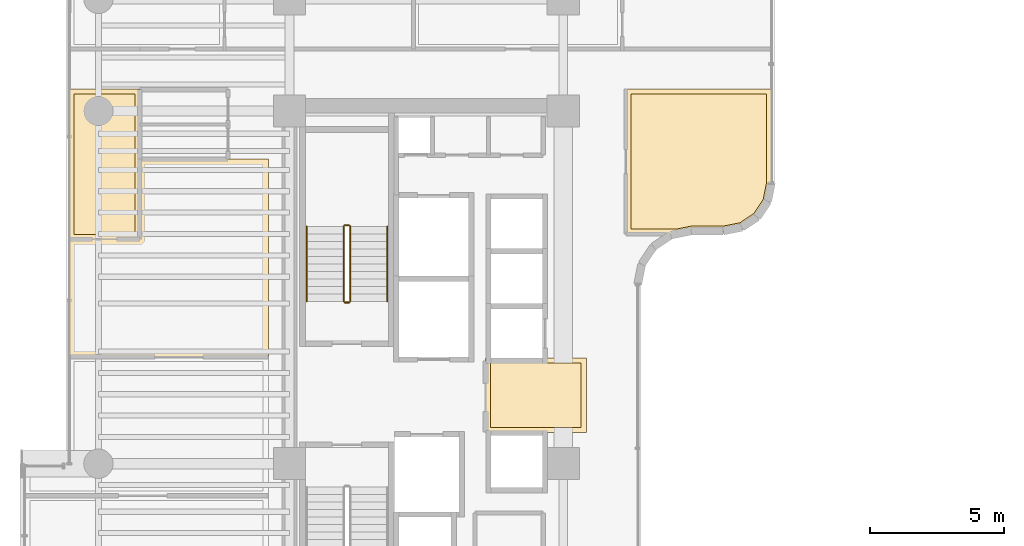
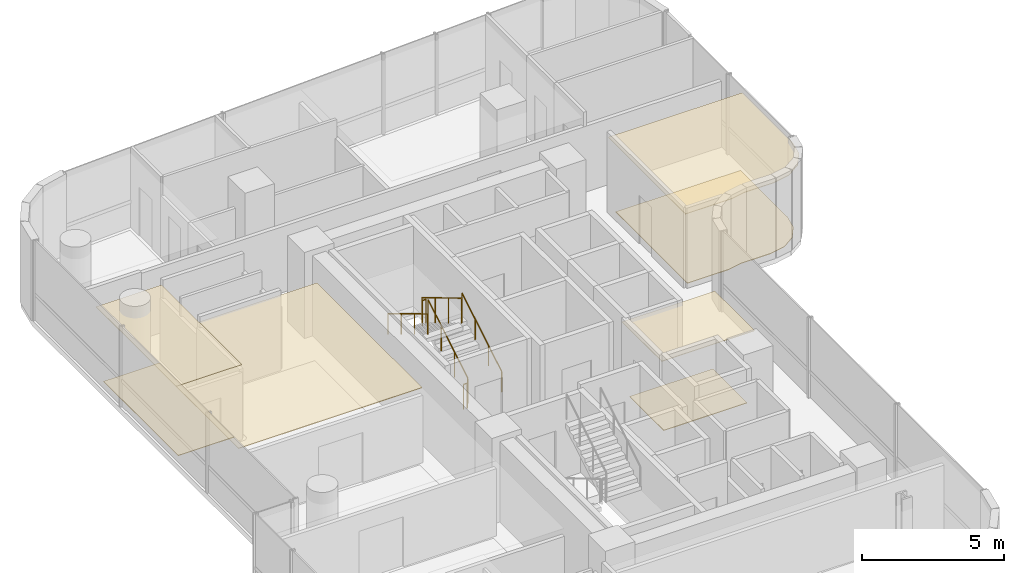
# One storey, part 32 of 34: 7 coverings, 6 railings.
"""IFC4 building model written with IfcOpenShell, lengths in metres."""

from ifc_helpers import new_model, si_unit, direction, frame, origin, origin_2d, place, context, subcontext, project, spatial, polyline, circle, outline, extrude, material, layer, layer_set, type_object, element, save


model = new_model("IFC4")

# Units and contexts
model_context = context("Model", 3, precision=1e-05, world=origin(), true_north=direction((0.0, 1.0)))
body_context = subcontext(model_context, "Body", "Model", "MODEL_VIEW")
ifc_project = project(units=[si_unit("LENGTHUNIT", "METRE"), si_unit("AREAUNIT", "SQUARE_METRE"), si_unit("VOLUMEUNIT", "CUBIC_METRE"), si_unit("PLANEANGLEUNIT", "RADIAN"), si_unit("MASSUNIT", "GRAM", prefix="KILO")], contexts=[model_context])

# Site, building, storey
site_placement = place(None, origin())
site = spatial("IfcSite", under=ifc_project, at=site_placement, CompositionType="ELEMENT")
building_placement = place(site_placement, origin())
building = spatial("IfcBuilding", under=site, at=building_placement, Name="Valdorenza Pilgrim Sanctuary Tower", CompositionType="ELEMENT")
storey_placement = place(building_placement, frame((0.0, 0.0, 161.199951171875)))
storey = spatial("IfcBuildingStorey", under=building, at=storey_placement, Name="L41", CompositionType="ELEMENT", Elevation=161.199951171875)

# Coverings
ifc_material_1 = material(Name="Micro-perforated acoustic mineral ceiling tile", Category="gypsum")
ifc_layer_1 = layer(ifc_material_1, 0.02490234375, Name="Micro-perforated acoustic mineral ceiling tile")
ifc_layer_set_1 = layer_set([ifc_layer_1], Name="Micro-perforated acoustic mineral ceiling tile")
covering_type_1 = type_object("IfcCoveringType", Name="COV-CLG-ACU", PredefinedType="CEILING", material=ifc_layer_set_1)
covering_1_placement = place(storey_placement, frame((0.0, 0.0, 3.16015625)))
element("IfcCovering", 1, at=covering_1_placement, inside=storey, type_object=covering_type_1, Name="L41 Core A Passenger Lift Lobby Acoustic Ceiling", PredefinedType="CEILING", context=body_context, shape_type="SweptSolid", body=[
    extrude(outline(polyline([(-15.31298828125, 1.244384765625), (-15.31298828125, 1.24462890625), (-15.313720703125, 1.24609375), (-15.314208984375, 1.24755859375), (-15.314697265625, 1.2490234375), (-15.31494140625, 1.25048828125), (-15.31494140625, 1.251953125), (-15.31494140625, 1.35009765625), (-15.31494140625, 1.3515625), (-15.314697265625, 1.352783203125), (-15.314453125, 1.3544921875), (-15.31396484375, 1.355712890625), (-15.313232421875, 1.357177734375), (-15.3125, 1.3583984375), (-15.3115234375, 1.359619140625), (-15.310546875, 1.360595703125), (-15.3095703125, 1.361572265625), (-15.308349609375, 1.362548828125), (-15.30712890625, 1.36328125), (-15.3056640625, 1.364013671875), (-15.304443359375, 1.364501953125), (-15.302978515625, 1.36474609375), (-15.301513671875, 1.364990234375), (-15.300048828125, 1.364990234375), (-15.10205078125, 1.364990234375), (-15.1005859375, 1.364990234375), (-15.09912109375, 1.36474609375), (-15.097412109375, 1.3642578125), (-15.09619140625, 1.36376953125), (-15.0947265625, 1.363037109375), (-15.094482421875, 1.363037109375), (-13.185546875, 1.363037109375), (-13.185302734375, 1.363037109375), (-13.183837890625, 1.36376953125), (-13.1826171875, 1.3642578125), (-13.180908203125, 1.36474609375), (-13.179443359375, 1.364990234375), (-13.177978515625, 1.364990234375), (-11.550048828125, 1.364990234375), (-11.548583984375, 1.364990234375), (-11.547119140625, 1.36474609375), (-11.545654296875, 1.364501953125), (-11.544189453125, 1.364013671875), (-11.54296875, 1.36328125), (-11.541748046875, 1.362548828125), (-11.54052734375, 1.361572265625), (-11.539306640625, 1.360595703125), (-11.538330078125, 1.359619140625), (-11.53759765625, 1.3583984375), (-11.536865234375, 1.357177734375), (-11.5361328125, 1.355712890625), (-11.53564453125, 1.3544921875), (-11.535400390625, 1.352783203125), (-11.53515625, 1.3515625), (-11.534912109375, 1.35009765625), (-11.534912109375, -1.419921875), (-11.53515625, -1.42138671875), (-11.535400390625, -1.4228515625), (-11.53564453125, -1.42431640625), (-11.5361328125, -1.42578125), (-11.536865234375, -1.427001953125), (-11.53759765625, -1.42822265625), (-11.538330078125, -1.429443359375), (-11.539306640625, -1.4306640625), (-11.54052734375, -1.431640625), (-11.541748046875, -1.4326171875), (-11.54296875, -1.43310546875), (-11.544189453125, -1.433837890625), (-11.545654296875, -1.434326171875), (-11.547119140625, -1.434814453125), (-11.548583984375, -1.434814453125), (-11.550048828125, -1.43505859375), (-15.298095703125, -1.43505859375), (-15.299560546875, -1.434814453125), (-15.30078125, -1.434814453125), (-15.302490234375, -1.434326171875), (-15.3037109375, -1.433837890625), (-15.30517578125, -1.43310546875), (-15.306396484375, -1.4326171875), (-15.3076171875, -1.431640625), (-15.30859375, -1.4306640625), (-15.3095703125, -1.429443359375), (-15.310546875, -1.42822265625), (-15.311279296875, -1.427001953125), (-15.31201171875, -1.42578125), (-15.3125, -1.42431640625), (-15.312744140625, -1.4228515625), (-15.31298828125, -1.42138671875), (-15.31298828125, -1.419921875), (-15.31298828125, 1.244384765625)])), origin(), (0.0, 0.0, 1.0), 0.02490234375),
])
covering_2_placement = place(storey_placement, frame((0.0, 0.0, 3.16015625)))
element("IfcCovering", 2, at=covering_2_placement, inside=storey, type_object=covering_type_1, Name="L41 Pilgrim Scholar Office L41-1 Acoustic Ceiling", PredefinedType="CEILING", context=body_context, shape_type="SweptSolid", body=[
    extrude(outline(polyline([(-28.237060546875, 8.805419921875), (-28.23681640625, 8.805419921875), (-28.236083984375, 8.803955078125), (-28.235595703125, 8.802490234375), (-28.2353515625, 8.801025390625), (-28.235107421875, 8.799560546875), (-28.235107421875, 8.798095703125), (-28.235107421875, 5.800048828125), (-28.235107421875, 5.798583984375), (-28.2353515625, 5.797119140625), (-28.235595703125, 5.795654296875), (-28.236083984375, 5.794189453125), (-28.23681640625, 5.79296875), (-28.237548828125, 5.791748046875), (-28.23828125, 5.79052734375), (-28.239501953125, 5.789306640625), (-28.240478515625, 5.788330078125), (-28.24169921875, 5.78759765625), (-28.242919921875, 5.786865234375), (-28.244384765625, 5.7861328125), (-28.24560546875, 5.78564453125), (-28.2470703125, 5.785400390625), (-28.24853515625, 5.78515625), (-28.25, 5.784912109375), (-30.889892578125, 5.784912109375), (-30.8916015625, 5.78515625), (-30.892822265625, 5.785400390625), (-30.894287109375, 5.78564453125), (-30.895751953125, 5.7861328125), (-30.897216796875, 5.786865234375), (-30.898193359375, 5.78759765625), (-30.8994140625, 5.788330078125), (-30.900634765625, 5.789306640625), (-30.901611328125, 5.79052734375), (-30.902587890625, 5.791748046875), (-30.9033203125, 5.79296875), (-30.90380859375, 5.794189453125), (-30.904296875, 5.795654296875), (-30.90478515625, 5.797119140625), (-30.90478515625, 5.798583984375), (-30.905029296875, 5.800048828125), (-30.905029296875, 11.419921875), (-30.90478515625, 11.42138671875), (-30.90478515625, 11.4228515625), (-30.904296875, 11.42431640625), (-30.90380859375, 11.42578125), (-30.9033203125, 11.427001953125), (-30.902587890625, 11.42822265625), (-30.901611328125, 11.429443359375), (-30.900634765625, 11.4306640625), (-30.8994140625, 11.431640625), (-30.898193359375, 11.4326171875), (-30.897216796875, 11.43310546875), (-30.895751953125, 11.433837890625), (-30.894287109375, 11.434326171875), (-30.892822265625, 11.434814453125), (-30.8916015625, 11.434814453125), (-30.889892578125, 11.43505859375), (-28.25, 11.43505859375), (-28.24853515625, 11.434814453125), (-28.2470703125, 11.434814453125), (-28.24560546875, 11.434326171875), (-28.244384765625, 11.433837890625), (-28.242919921875, 11.43310546875), (-28.24169921875, 11.4326171875), (-28.240478515625, 11.431640625), (-28.239501953125, 11.4306640625), (-28.23828125, 11.429443359375), (-28.237548828125, 11.42822265625), (-28.23681640625, 11.427001953125), (-28.236083984375, 11.42578125), (-28.235595703125, 11.42431640625), (-28.2353515625, 11.4228515625), (-28.235107421875, 11.42138671875), (-28.235107421875, 11.419921875), (-28.235107421875, 11.402099609375), (-28.235107421875, 11.400390625), (-28.2353515625, 11.39892578125), (-28.235595703125, 11.3974609375), (-28.236083984375, 11.39599609375), (-28.23681640625, 11.394775390625), (-28.237060546875, 11.39453125), (-28.237060546875, 10.103759765625), (-28.23681640625, 10.10302734375), (-28.23681640625, 10.1015625), (-28.23681640625, 10.10009765625), (-28.23681640625, 10.098388671875), (-28.237060546875, 10.09814453125), (-28.237060546875, 8.805419921875)])), origin(), (0.0, 0.0, 1.0), 0.02490234375),
])
covering_3_placement = place(storey_placement, frame((0.0, 0.0, 3.16015625)))
element("IfcCovering", 3, at=covering_3_placement, inside=storey, type_object=covering_type_1, Name="L41 North Contemplation Salon L41 Acoustic Ceiling", PredefinedType="CEILING", context=body_context, shape_type="SweptSolid", body=[
    extrude(outline(polyline([(-28.262939453125, 5.81298828125), (-28.262939453125, 8.798095703125), (-28.262939453125, 8.799560546875), (-28.2626953125, 8.80078125), (-28.262451171875, 8.802490234375), (-28.261962890625, 8.8037109375), (-28.26123046875, 8.80517578125), (-28.260498046875, 8.806396484375), (-28.259521484375, 8.8076171875), (-28.258544921875, 8.80859375), (-28.257568359375, 8.8095703125), (-28.25634765625, 8.810546875), (-28.255126953125, 8.811279296875), (-28.253662109375, 8.81201171875), (-28.25244140625, 8.8125), (-28.2509765625, 8.812744140625), (-28.24951171875, 8.81298828125), (-28.248046875, 8.81298828125), (-24.955322265625, 8.81298828125), (-24.954833984375, 8.813232421875), (-24.95361328125, 8.81396484375), (-24.9521484375, 8.814453125), (-24.95068359375, 8.814697265625), (-24.949462890625, 8.81494140625), (-24.947998046875, 8.81494140625), (-23.449951171875, 8.81494140625), (-23.448486328125, 8.81494140625), (-23.447021484375, 8.814697265625), (-23.445556640625, 8.814453125), (-23.4443359375, 8.81396484375), (-23.44287109375, 8.813232421875), (-23.441650390625, 8.8125), (-23.4404296875, 8.8115234375), (-23.439453125, 8.810546875), (-23.4384765625, 8.8095703125), (-23.4375, 8.808349609375), (-23.436767578125, 8.80712890625), (-23.43603515625, 8.8056640625), (-23.435546875, 8.804443359375), (-23.435302734375, 8.802978515625), (-23.43505859375, 8.801513671875), (-23.43505859375, 8.800048828125), (-23.43505859375, 1.402099609375), (-23.43505859375, 1.400390625), (-23.435302734375, 1.399169921875), (-23.435546875, 1.397705078125), (-23.43603515625, 1.396240234375), (-23.436767578125, 1.39501953125), (-23.4375, 1.393798828125), (-23.4384765625, 1.392578125), (-23.439453125, 1.391357421875), (-23.4404296875, 1.390380859375), (-23.441650390625, 1.389404296875), (-23.44287109375, 1.388916015625), (-23.4443359375, 1.38818359375), (-23.445556640625, 1.3876953125), (-23.447021484375, 1.38720703125), (-23.448486328125, 1.38720703125), (-23.449951171875, 1.386962890625), (-30.889892578125, 1.386962890625), (-30.8916015625, 1.38720703125), (-30.892822265625, 1.38720703125), (-30.894287109375, 1.3876953125), (-30.895751953125, 1.38818359375), (-30.897216796875, 1.388916015625), (-30.898193359375, 1.389404296875), (-30.8994140625, 1.390380859375), (-30.900634765625, 1.391357421875), (-30.901611328125, 1.392578125), (-30.902587890625, 1.393798828125), (-30.9033203125, 1.39501953125), (-30.90380859375, 1.396240234375), (-30.904296875, 1.397705078125), (-30.90478515625, 1.399169921875), (-30.90478515625, 1.400390625), (-30.905029296875, 1.402099609375), (-30.905029296875, 5.798095703125), (-30.90478515625, 5.799560546875), (-30.90478515625, 5.80078125), (-30.904296875, 5.802490234375), (-30.90380859375, 5.8037109375), (-30.9033203125, 5.80517578125), (-30.902587890625, 5.806396484375), (-30.901611328125, 5.8076171875), (-30.900634765625, 5.80859375), (-30.8994140625, 5.8095703125), (-30.898193359375, 5.810546875), (-30.897216796875, 5.811279296875), (-30.895751953125, 5.81201171875), (-30.894287109375, 5.8125), (-30.892822265625, 5.812744140625), (-30.8916015625, 5.81298828125), (-30.889892578125, 5.81298828125), (-28.262939453125, 5.81298828125)])), origin(), (0.0, 0.0, 1.0), 0.02490234375),
])
covering_4_placement = place(storey_placement, frame((0.0, 0.0, 3.16015625)))
element("IfcCovering", 4, at=covering_4_placement, inside=storey, type_object=covering_type_1, Name="L41 Sacred Art Exhibition Gallery L41-E1 Acoustic Ceiling", PredefinedType="CEILING", context=body_context, shape_type="SweptSolid", body=[
    extrude(outline(polyline([(-10.06494140625, 11.419921875), (-10.06494140625, 11.42138671875), (-10.064697265625, 11.4228515625), (-10.064453125, 11.42431640625), (-10.06396484375, 11.42578125), (-10.063232421875, 11.427001953125), (-10.0625, 11.42822265625), (-10.0615234375, 11.429443359375), (-10.060546875, 11.4306640625), (-10.0595703125, 11.431640625), (-10.058349609375, 11.4326171875), (-10.05712890625, 11.43310546875), (-10.0556640625, 11.433837890625), (-10.054443359375, 11.434326171875), (-10.052978515625, 11.434814453125), (-10.051513671875, 11.434814453125), (-10.050048828125, 11.43505859375), (-4.610107421875, 11.43505859375), (-4.6083984375, 11.434814453125), (-4.607177734375, 11.434814453125), (-4.605712890625, 11.434326171875), (-4.604248046875, 11.433837890625), (-4.602783203125, 11.43310546875), (-4.601806640625, 11.4326171875), (-4.6005859375, 11.431640625), (-4.599365234375, 11.4306640625), (-4.598388671875, 11.429443359375), (-4.597412109375, 11.42822265625), (-4.5966796875, 11.427001953125), (-4.59619140625, 11.42578125), (-4.595703125, 11.42431640625), (-4.59521484375, 11.4228515625), (-4.59521484375, 11.42138671875), (-4.594970703125, 11.419921875), (-4.594970703125, 7.910888671875), (-4.59521484375, 7.909423828125), (-4.59521484375, 7.907958984375), (-4.7333984375, 7.212890625), (-4.73388671875, 7.21142578125), (-4.734375, 7.210205078125), (-4.735107421875, 7.208740234375), (-4.735595703125, 7.20751953125), (-5.123291015625, 6.62744140625), (-5.124267578125, 6.626220703125), (-5.125244140625, 6.625244140625), (-5.126220703125, 6.624267578125), (-5.12744140625, 6.623291015625), (-5.70751953125, 6.235595703125), (-5.708740234375, 6.235107421875), (-5.710205078125, 6.234375), (-5.71142578125, 6.23388671875), (-5.712890625, 6.2333984375), (-6.407958984375, 6.09521484375), (-6.409423828125, 6.09521484375), (-6.410888671875, 6.094970703125), (-7.599609375, 6.094970703125), (-7.609375, 6.094482421875), (-7.618896484375, 6.093017578125), (-8.160888671875, 5.9853515625), (-8.16259765625, 5.985107421875), (-8.1640625, 5.985107421875), (-10.050048828125, 5.985107421875), (-10.051513671875, 5.985107421875), (-10.052978515625, 5.9853515625), (-10.054443359375, 5.985595703125), (-10.0556640625, 5.986083984375), (-10.05712890625, 5.98681640625), (-10.058349609375, 5.987548828125), (-10.0595703125, 5.98828125), (-10.060546875, 5.989501953125), (-10.0615234375, 5.990478515625), (-10.0625, 5.99169921875), (-10.063232421875, 5.992919921875), (-10.06396484375, 5.994384765625), (-10.064453125, 5.99560546875), (-10.064697265625, 5.9970703125), (-10.06494140625, 5.99853515625), (-10.06494140625, 6.0), (-10.06494140625, 11.419921875)])), origin(), (0.0, 0.0, 1.0), 0.02490234375),
])
ifc_material_2 = material(Name="Honed travertine stone flooring", Category="masonry")
ifc_layer_2 = layer(ifc_material_2, 0.030029296875, Name="Honed travertine stone flooring")
ifc_layer_set_2 = layer_set([ifc_layer_2], Name="Honed travertine stone flooring")
covering_type_2 = type_object("IfcCoveringType", Name="COV-FLR-TRV", PredefinedType="FLOORING", material=ifc_layer_set_2)
covering_5_placement = place(storey_placement, origin())
element("IfcCovering", 5, at=covering_5_placement, inside=storey, type_object=covering_type_2, Name="L41 Core A Passenger Lift Lobby Flooring", PredefinedType="FLOORING", context=body_context, shape_type="SweptSolid", body=[
    extrude(outline(polyline([(-15.117919921875, 1.169189453125), (-15.10888671875, 1.168212890625), (-15.10888671875, 1.168212890625), (-15.10009765625, 1.16796875), (-13.179931640625, 1.16796875), (-13.1796875, 1.16796875), (-11.72998046875, 1.169921875), (-11.72998046875, -1.239990234375), (-15.117919921875, -1.239990234375), (-15.117919921875, 1.169189453125)])), origin(), (0.0, 0.0, 1.0), 0.025146484375),
])
covering_6_placement = place(storey_placement, origin())
element("IfcCovering", 6, at=covering_6_placement, inside=storey, type_object=covering_type_2, Name="L41 Pilgrim Scholar Office L41-1 Flooring", PredefinedType="FLOORING", context=body_context, shape_type="SweptSolid", body=[
    extrude(outline(polyline([(-28.431884765625, 11.239990234375), (-28.431884765625, 10.10205078125), (-28.431884765625, 10.10107421875), (-28.431884765625, 10.100341796875), (-28.431884765625, 10.10009765625), (-28.431884765625, 8.800048828125), (-28.43017578125, 5.97998046875), (-30.7099609375, 5.97998046875), (-30.7099609375, 11.239990234375), (-28.431884765625, 11.239990234375)])), origin(), (0.0, 0.0, 1.0), 0.025146484375),
])
covering_7_placement = place(storey_placement, origin())
element("IfcCovering", 7, at=covering_7_placement, inside=storey, type_object=covering_type_2, Name="L41 Sacred Art Exhibition Gallery L41-E1 Flooring", PredefinedType="FLOORING", context=body_context, shape_type="SweptSolid", body=[
    extrude(outline(polyline([(-9.8701171875, 11.239990234375), (-4.7900390625, 11.239990234375), (-4.7900390625, 7.9287109375), (-4.917724609375, 7.2861328125), (-5.265625, 6.765625), (-5.7861328125, 6.417724609375), (-6.4287109375, 6.2900390625), (-7.60009765625, 6.2900390625), (-7.60888671875, 6.289794921875), (-7.61962890625, 6.289306640625), (-7.63720703125, 6.28759765625), (-7.64794921875, 6.285888671875), (-7.656494140625, 6.284423828125), (-8.181640625, 6.179931640625), (-9.8701171875, 6.179931640625), (-9.8701171875, 11.239990234375)])), origin(), (0.0, 0.0, 1.0), 0.025146484375),
])

# Railings
ifc_material_3 = material(Name="Stainless steel Grade 316", Category="steel")
railing_type_1 = type_object("IfcRailingType", Name="RLG-GRD-1120", PredefinedType="GUARDRAIL", material=ifc_material_3)
railing_1_placement = place(storey_placement, frame((-20.3701171875, 3.47998046875, 0.168212890625)))
element("IfcRailing", 8, at=railing_1_placement, inside=storey, type_object=railing_type_1, Name="L41 ST-A1 stair guard 1", PredefinedType="GUARDRAIL", context=body_context, shape_type="SweptSolid", body=[
    extrude(circle(Radius=0.02392578125, at=origin_2d()), frame((0.0, 0.0, 1.076171875), z_axis=(0.0, 0.857242210791, 0.514913383045), x_axis=(-1.0, 0.0, 0.0)), (0.0, 0.0, 1.0), 3.266357421875),
    extrude(circle(Radius=0.02099609375, at=origin_2d()), origin(), (0.0, 0.0, 1.0), 1.052001953125),
    extrude(circle(Radius=0.02099609375, at=origin_2d()), frame((0.0, 0.933349609375, 0.560546875)), (0.0, 0.0, 1.0), 1.052001953125),
    extrude(circle(Radius=0.02099609375, at=origin_2d()), frame((0.0, 1.86669921875, 1.121337890625)), (0.0, 0.0, 1.0), 1.052001953125),
    extrude(circle(Radius=0.02099609375, at=origin_2d()), frame((0.0, 2.800048828125, 1.681884765625)), (0.0, 0.0, 1.0), 1.052001953125),
])
railing_2_placement = place(storey_placement, frame((-20.419921875, 6.330078125, 1.85009765625)))
element("IfcRailing", 9, at=railing_2_placement, inside=storey, type_object=railing_type_1, Name="L41 ST-A1 stair guard 2", PredefinedType="GUARDRAIL", context=body_context, shape_type="SweptSolid", body=[
    extrude(circle(Radius=0.02392578125, at=origin_2d()), frame((0.0, 0.0, 1.076171875), z_axis=(-1.0, 0.0, 0.0), x_axis=(0.0, -1.0, 0.0)), (0.0, 0.0, 1.0), 0.150146484375),
    extrude(circle(Radius=0.02099609375, at=origin_2d()), origin(), (0.0, 0.0, 1.0), 1.052001953125),
    extrude(circle(Radius=0.02099609375, at=origin_2d()), frame((-0.150146484375, 0.0, 0.0)), (0.0, 0.0, 1.0), 1.052001953125),
])
railing_3_placement = place(storey_placement, frame((-20.6201171875, 6.280029296875, 2.018310546875)))
element("IfcRailing", 10, at=railing_3_placement, inside=storey, type_object=railing_type_1, Name="L41 ST-A1 stair guard 3", PredefinedType="GUARDRAIL", context=body_context, shape_type="SweptSolid", body=[
    extrude(circle(Radius=0.02392578125, at=origin_2d()), frame((0.0, 0.0, 1.076171875), z_axis=(0.0, -0.857275202839, 0.514858452973), x_axis=(1.0, 0.0, 0.0)), (0.0, 0.0, 1.0), 3.26611328125),
    extrude(circle(Radius=0.02099609375, at=origin_2d()), origin(), (0.0, 0.0, 1.0), 1.052001953125),
    extrude(circle(Radius=0.02099609375, at=origin_2d()), frame((0.0, -0.933349609375, 0.560546875)), (0.0, 0.0, 1.0), 1.052001953125),
    extrude(circle(Radius=0.02099609375, at=origin_2d()), frame((0.0, -1.86669921875, 1.12109375)), (0.0, 0.0, 1.0), 1.052001953125),
    extrude(circle(Radius=0.02099609375, at=origin_2d()), frame((0.0, -2.800048828125, 1.681640625)), (0.0, 0.0, 1.0), 1.052001953125),
])
railing_4_placement = place(storey_placement, frame((-20.419921875, 3.429931640625, 0.0)))
element("IfcRailing", 11, at=railing_4_placement, inside=storey, type_object=railing_type_1, Name="L41 ST-A1 stair guard 4", PredefinedType="GUARDRAIL", context=body_context, shape_type="SweptSolid", body=[
    extrude(circle(Radius=0.02392578125, at=origin_2d()), frame((0.0, 0.0, 1.076171875), z_axis=(-1.0, 0.0, 0.0), x_axis=(0.0, -1.0, 0.0)), (0.0, 0.0, 1.0), 0.150146484375),
    extrude(circle(Radius=0.02099609375, at=origin_2d()), origin(), (0.0, 0.0, 1.0), 1.052001953125),
    extrude(circle(Radius=0.02099609375, at=origin_2d()), frame((-0.150146484375, 0.0, 0.0)), (0.0, 0.0, 1.0), 1.052001953125),
])
ifc_material_4 = material(Name="Brushed stainless steel Grade 316", Category="steel")
railing_type_2 = type_object("IfcRailingType", Name="RLG-HND-920", PredefinedType="HANDRAIL", material=ifc_material_4)
railing_5_placement = place(storey_placement, frame((-18.989990234375, 3.47998046875, 0.168212890625)))
element("IfcRailing", 12, at=railing_5_placement, inside=storey, type_object=railing_type_2, Name="L41 ST-A1 stair handrail 1", PredefinedType="HANDRAIL", context=body_context, shape_type="SweptSolid", body=[
    extrude(circle(Radius=0.02392578125, at=origin_2d()), frame((0.0, 0.0, 0.8759765625), z_axis=(0.0, 0.857242210791, 0.514913383045), x_axis=(-1.0, 0.0, 0.0)), (0.0, 0.0, 1.0), 3.266357421875),
    extrude(circle(Radius=0.02099609375, at=origin_2d()), origin(), (0.0, 0.0, 1.0), 0.851806640625),
    extrude(circle(Radius=0.02099609375, at=origin_2d()), frame((0.0, 0.933349609375, 0.560546875)), (0.0, 0.0, 1.0), 0.851806640625),
    extrude(circle(Radius=0.02099609375, at=origin_2d()), frame((0.0, 1.86669921875, 1.121337890625)), (0.0, 0.0, 1.0), 0.851806640625),
    extrude(circle(Radius=0.02099609375, at=origin_2d()), frame((0.0, 2.800048828125, 1.681884765625)), (0.0, 0.0, 1.0), 0.851806640625),
])
railing_6_placement = place(storey_placement, frame((-22.0, 6.280029296875, 2.018310546875)))
element("IfcRailing", 13, at=railing_6_placement, inside=storey, type_object=railing_type_2, Name="L41 ST-A1 stair handrail 2", PredefinedType="HANDRAIL", context=body_context, shape_type="SweptSolid", body=[
    extrude(circle(Radius=0.02392578125, at=origin_2d()), frame((0.0, 0.0, 0.8759765625), z_axis=(0.0, -0.857275202839, 0.514858452973), x_axis=(1.0, 0.0, 0.0)), (0.0, 0.0, 1.0), 3.26611328125),
    extrude(circle(Radius=0.02099609375, at=origin_2d()), origin(), (0.0, 0.0, 1.0), 0.851806640625),
    extrude(circle(Radius=0.02099609375, at=origin_2d()), frame((0.0, -0.933349609375, 0.560546875)), (0.0, 0.0, 1.0), 0.851806640625),
    extrude(circle(Radius=0.02099609375, at=origin_2d()), frame((0.0, -1.86669921875, 1.12109375)), (0.0, 0.0, 1.0), 0.851806640625),
    extrude(circle(Radius=0.02099609375, at=origin_2d()), frame((0.0, -2.800048828125, 1.681640625)), (0.0, 0.0, 1.0), 0.851806640625),
])

save(model, "model.ifc")
